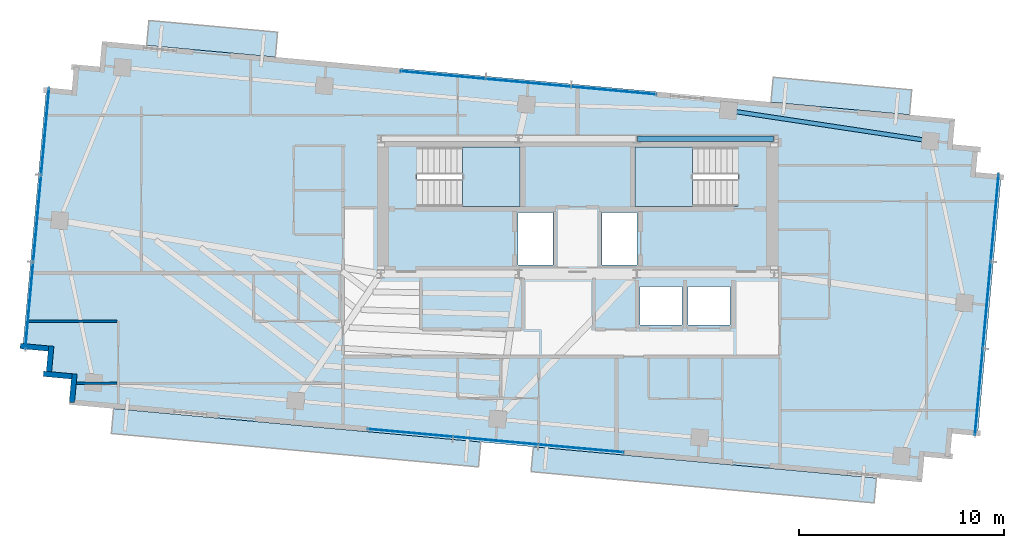
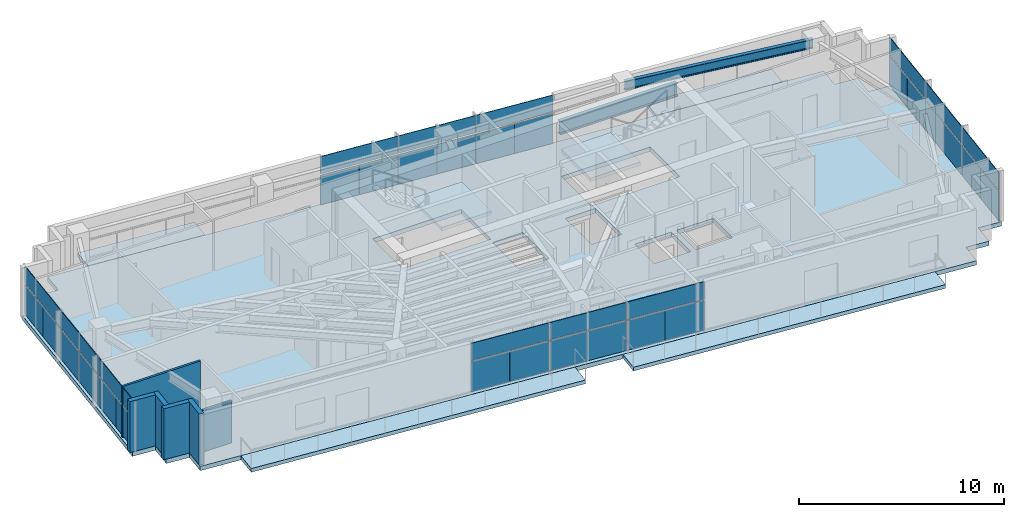
# One storey, part 15 of 22: 36 plates, 7 slabs, 6 walls, 2 beams, 6 elements without a shape of their own.
"""IFC4 building model written with IfcOpenShell, lengths in metres."""

from ifc_helpers import new_model, si_unit, direction, frame, frame_2d, origin, origin_2d, place, context, subcontext, project, spatial, polyline, rectangle, i_section, outline, extrude, source, transform, mapped, material, layer, layer_set, material_profile, profile_set, type_object, type_shapes, element, aggregate, save


model = new_model("IFC4")

# Units and contexts
model_context = context("Model", 3, precision=1e-05, world=origin(), true_north=direction((0.0, 1.0)))
body_context = subcontext(model_context, "Body", "Model", "MODEL_VIEW")
ifc_project = project(units=[si_unit("LENGTHUNIT", "METRE"), si_unit("AREAUNIT", "SQUARE_METRE"), si_unit("VOLUMEUNIT", "CUBIC_METRE"), si_unit("PLANEANGLEUNIT", "RADIAN"), si_unit("MASSUNIT", "GRAM", prefix="KILO")], contexts=[model_context])

# Site, building, storey
site_placement = place(None, origin())
site = spatial("IfcSite", under=ifc_project, at=site_placement, CompositionType="ELEMENT")
building_placement = place(site_placement, origin())
building = spatial("IfcBuilding", under=site, at=building_placement, Name="Astriad Promenade Condominiums", CompositionType="ELEMENT")
storey_placement = place(building_placement, frame((0.0, 0.0, 229.800048828125)))
storey = spatial("IfcBuildingStorey", under=building, at=storey_placement, Name="L66", CompositionType="ELEMENT", Elevation=229.800048828125)

# Beams
ifc_material_1 = material(Name="Steel ASTM A992 Grade 50", Category="steel")
ifc_material_profile_1 = material_profile(ifc_material_1, i_section(OverallWidth=0.267822265625, OverallDepth=0.76953125, WebThickness=0.015625, FlangeThickness=0.025390625, FilletRadius=0.021484375, at=origin_2d()), Name="W30X132")
ifc_profile_set_1 = profile_set([ifc_material_profile_1], Name="Steel ASTM A992 Grade 50")
beam_type_1 = type_object("IfcBeamType", Name="STEEL FLOOR GIRDER W30X132", PredefinedType="BEAM", material=ifc_profile_set_1)
shared_shape_1 = source(origin(), body_context, "Body", "SweptSolid", [
    extrude(i_section(OverallWidth=0.267822265625, OverallDepth=0.76953125, WebThickness=0.015625, FlangeThickness=0.025390625, FilletRadius=0.021484375, at=origin_2d()), origin(), (0.0, 0.0, 1.0), 6.64013671875),
])
type_shapes(beam_type_1, [shared_shape_1])
beam_1_placement = place(storey_placement, frame((38.919921875, 24.0, 2.655029296875), z_axis=(1.0, 0.0, 0.0), x_axis=(0.0, 1.0, 0.0)))
element("IfcBeam", 1, at=beam_1_placement, inside=storey, type_object=beam_type_1, Name="Core Ring Beam CG-N3-L66", PredefinedType="BEAM", context=body_context, shape_type="MappedRepresentation", body=[
    mapped(shared_shape_1, transform((0.0, 0.0, 0.0), scale=1.0)),
])
ifc_material_profile_2 = material_profile(ifc_material_1, i_section(OverallWidth=0.210693359375, OverallDepth=0.53955078125, WebThickness=0.01171875, FlangeThickness=0.018798828125, FilletRadius=0.0166015625, at=origin_2d()), Name="W21X73")
ifc_profile_set_2 = profile_set([ifc_material_profile_2], Name="Steel ASTM A992 Grade 50")
beam_type_2 = type_object("IfcBeamType", Name="STEEL SPANDREL BEAM W21X73", PredefinedType="SPANDREL", material=ifc_profile_set_2)
shared_shape_2 = source(origin(), body_context, "Body", "SweptSolid", [
    extrude(i_section(OverallWidth=0.210693359375, OverallDepth=0.53955078125, WebThickness=0.01171875, FlangeThickness=0.018798828125, FilletRadius=0.0166015625, at=origin_2d()), origin(), (0.0, 0.0, 1.0), 9.890869140625),
])
type_shapes(beam_type_2, [shared_shape_2])
beam_2_placement = place(storey_placement, frame((53.1787109375, 23.899658203125, 2.770263671875), z_axis=(-0.988827455442, 0.149064628143, 0.0), x_axis=(-0.149064628143, -0.988827455442, 0.0)))
element("IfcBeam", 2, at=beam_2_placement, inside=storey, type_object=beam_type_2, Name="Perimeter Spandrel Beam SP-N4-L66", PredefinedType="SPANDREL", context=body_context, shape_type="MappedRepresentation", body=[
    mapped(shared_shape_2, transform((0.0, 0.0, 0.0), scale=1.0)),
])

# Slab
ifc_material_2 = material(Name="Concrete C50/60", Category="concrete")
ifc_layer_1 = layer(ifc_material_2, 0.260009765625)
ifc_layer_set_1 = layer_set([ifc_layer_1], Name="Concrete C50/60")
slab_type_1 = type_object("IfcSlabType", Name="CONCRETE TOWER FLOOR SLAB 260", PredefinedType="FLOOR", material=ifc_layer_set_1)
slab_1_placement = place(storey_placement, frame((0.0, 0.0, -0.260009765625)))
element("IfcSlab", 3, at=slab_1_placement, inside=storey, type_object=slab_type_1, Name="Structural Floor Slab (L66)", PredefinedType="FLOOR", context=body_context, shape_type="SweptSolid", body=[
    extrude(outline(polyline([(11.179443359375, 11.03076171875), (52.807373046875, 7.242431640625), (52.920654296875, 8.4873046875), (54.16552734375, 8.3740234375), (54.27880859375, 9.618896484375), (55.523681640625, 9.505615234375), (56.68359375, 22.2529296875), (55.43896484375, 22.3662109375), (55.55224609375, 23.611083984375), (54.307373046875, 23.724365234375), (54.420654296875, 24.96923828125), (12.79248046875, 28.757568359375), (12.679443359375, 27.5126953125), (11.4345703125, 27.6259765625), (11.3212890625, 26.381103515625), (10.076416015625, 26.494384765625), (8.916259765625, 13.7470703125), (10.1611328125, 13.6337890625), (10.0478515625, 12.388916015625), (11.292724609375, 12.275634765625), (11.179443359375, 11.03076171875)]), holes=[polyline([(28.175048828125, 20.699951171875), (33.175048828125, 20.699951171875), (33.175048828125, 23.60009765625), (28.175048828125, 23.60009765625), (28.175048828125, 20.699951171875)]), polyline([(38.824951171875, 20.699951171875), (43.824951171875, 20.699951171875), (43.824951171875, 23.60009765625), (38.824951171875, 23.60009765625), (38.824951171875, 20.699951171875)]), polyline([(33.10009765625, 17.85009765625), (34.800048828125, 17.85009765625), (34.800048828125, 20.39990234375), (33.10009765625, 20.39990234375), (33.10009765625, 17.85009765625)]), polyline([(37.199951171875, 17.85009765625), (38.89990234375, 17.85009765625), (38.89990234375, 20.39990234375), (37.199951171875, 20.39990234375), (37.199951171875, 17.85009765625)]), polyline([(39.050048828125, 14.89990234375), (41.10009765625, 14.89990234375), (41.10009765625, 16.800048828125), (39.050048828125, 16.800048828125), (39.050048828125, 14.89990234375)]), polyline([(41.39990234375, 14.89990234375), (43.449951171875, 14.89990234375), (43.449951171875, 16.800048828125), (41.39990234375, 16.800048828125), (41.39990234375, 14.89990234375)])]), origin(), (0.0, 0.0, 1.0), 0.260009765625),
])

# Stair, slab
stair_type = type_object("IfcStairType", Name="STR-CORE-1350", PredefinedType="HALF_TURN_STAIR", material=ifc_material_2)
stair_1_placement = place(storey_placement, origin())
stair_1 = element("IfcStair", 4, at=stair_1_placement, inside=storey, type_object=stair_type, Name="L66 Enclosed Core Exit Stair ST-1", PredefinedType="HALF_TURN_STAIR")
ifc_layer_2 = layer(ifc_material_2, 0.219970703125)
ifc_layer_set_2 = layer_set([ifc_layer_2], Name="Concrete C50/60")
slab_type_2 = type_object("IfcSlabType", Name="SLB-LANDING-220", PredefinedType="LANDING", material=ifc_layer_set_2)
slab_2_placement = place(storey_placement, frame((0.0, 0.0, 1.449951171875)))
slab_2 = element("IfcSlab", 5, at=slab_2_placement, type_object=slab_type_2, Name="ST-1 landing 1", PredefinedType="LANDING", context=body_context, shape_type="SweptSolid", body=[
    extrude(outline(polyline([(30.389892578125, 20.699951171875), (33.199951171875, 20.699951171875), (33.199951171875, 23.60009765625), (30.389892578125, 23.60009765625), (30.389892578125, 20.699951171875)])), origin(), (0.0, 0.0, 1.0), 0.199951171875),
])
aggregate(stair_1, [slab_2])

stair_2_placement = place(storey_placement, origin())
stair_2 = element("IfcStair", 6, at=stair_2_placement, inside=storey, type_object=stair_type, Name="L66 Enclosed Core Exit Stair ST-2", PredefinedType="HALF_TURN_STAIR")
slab_3_placement = place(storey_placement, frame((0.0, 0.0, 1.449951171875)))
slab_3 = element("IfcSlab", 7, at=slab_3_placement, type_object=slab_type_2, Name="ST-2 landing 1", PredefinedType="LANDING", context=body_context, shape_type="SweptSolid", body=[
    extrude(outline(polyline([(41.610107421875, 23.60009765625), (38.800048828125, 23.60009765625), (38.800048828125, 20.699951171875), (41.610107421875, 20.699951171875), (41.610107421875, 23.60009765625)])), origin(), (0.0, 0.0, 1.0), 0.199951171875),
])
aggregate(stair_2, [slab_3])

# Slabs
ifc_material_3 = material(Name="Precast concrete C50/60", Category="concrete")
ifc_layer_3 = layer(ifc_material_3, 0.219970703125)
ifc_layer_set_3 = layer_set([ifc_layer_3], Name="Precast concrete C50/60")
slab_type_3 = type_object("IfcSlabType", Name="WHITE PRECAST CONCRETE WAVE BALCONY SLAB 220", PredefinedType="FLOOR", material=ifc_layer_set_3)
slab_4_placement = place(storey_placement, frame((0.0, 0.0, -0.219970703125)))
element("IfcSlab", 8, at=slab_4_placement, inside=storey, type_object=slab_type_3, Name="White Precast Wave Balcony Slab BAL-L66-SW", PredefinedType="FLOOR", context=body_context, shape_type="SweptSolid", body=[
    extrude(outline(polyline([(31.163818359375, 7.987060546875), (13.244873046875, 9.617919921875), (13.355224609375, 10.830810546875), (31.274169921875, 9.2001953125), (31.163818359375, 7.987060546875)])), origin(), (0.0, 0.0, 1.0), 0.219970703125),
])
slab_5_placement = place(storey_placement, frame((0.0, 0.0, -0.219970703125)))
element("IfcSlab", 9, at=slab_5_placement, inside=storey, type_object=slab_type_3, Name="White Precast Wave Balcony Slab BAL-L66-SE", PredefinedType="FLOOR", context=body_context, shape_type="SweptSolid", body=[
    extrude(outline(polyline([(50.47509765625, 6.2294921875), (33.731201171875, 7.75341796875), (33.841552734375, 8.96630859375), (50.585205078125, 7.442626953125), (50.47509765625, 6.2294921875)])), origin(), (0.0, 0.0, 1.0), 0.219970703125),
])
slab_6_placement = place(storey_placement, frame((0.0, 0.0, -0.219970703125)))
element("IfcSlab", 10, at=slab_6_placement, inside=storey, type_object=slab_type_3, Name="White Precast Wave Balcony Slab BAL-L66-NW", PredefinedType="FLOOR", context=body_context, shape_type="SweptSolid", body=[
    extrude(outline(polyline([(15.0791015625, 29.7744140625), (21.3583984375, 29.203125), (21.247802734375, 27.989990234375), (14.968994140625, 28.5615234375), (15.0791015625, 29.7744140625)])), origin(), (0.0, 0.0, 1.0), 0.219970703125),
])
slab_7_placement = place(storey_placement, frame((0.0, 0.0, -0.219970703125)))
element("IfcSlab", 11, at=slab_7_placement, inside=storey, type_object=slab_type_3, Name="White Precast Wave Balcony Slab BAL-L66-NE", PredefinedType="FLOOR", context=body_context, shape_type="SweptSolid", body=[
    extrude(outline(polyline([(45.437744140625, 25.78662109375), (52.19873046875, 25.17138671875), (52.309326171875, 26.38623046875), (45.54833984375, 27.001708984375), (45.437744140625, 25.78662109375)])), origin(), (0.0, 0.0, 1.0), 0.219970703125),
])

# Curtain wall, plates
ifc_material_4 = material(Name="Anodised aluminium Black Dark Glass Unitised", Category="aluminium")
curtain_wall_type = type_object("IfcCurtainWallType", Name="CW-B5-DARK", PredefinedType="USERDEFINED", material=ifc_material_4)
curtain_wall_1_placement = place(storey_placement, origin())
curtain_wall_1 = element("IfcCurtainWall", 12, at=curtain_wall_1_placement, inside=storey, type_object=curtain_wall_type, Name="CW-L66-W", ObjectType="UNITISED_CURTAIN_WALL", PredefinedType="USERDEFINED")
ifc_material_5 = material(Name="Dark Tinted Low-E Laminated Glass", Category="glass")
ifc_layer_4 = layer(ifc_material_5, 0.035888671875)
ifc_layer_set_4 = layer_set([ifc_layer_4], Name="Dark Tinted Low-E Laminated Glass")
plate_type = type_object("IfcPlateType", Name="PNL-DARK-GLASS-36", PredefinedType="CURTAIN_PANEL", material=ifc_layer_set_4)
shared_shape_3 = source(origin(), body_context, "Body", "SweptSolid", [
    extrude(rectangle(XDim=2.121337890625, YDim=0.035888671875, at=origin_2d()), origin(), (0.0, 0.0, 1.0), 1.764892578125),
])
plate_1_placement = place(storey_placement, frame((9.142578125, 14.797607421875, 0.080078125), z_axis=(0.0, 0.0, 1.0), x_axis=(0.090632580198, 0.995884398616, 0.0)))
plate_1 = element("IfcPlate", 13, at=plate_1_placement, type_object=plate_type, Name="CW-L66-W-PNL-00-VL", PredefinedType="CURTAIN_PANEL", context=body_context, shape_type="MappedRepresentation", body=[
    mapped(shared_shape_3, transform((0.0, 0.0, 0.0), scale=1.0)),
])
plate_2_placement = place(storey_placement, frame((9.335693359375, 16.922119140625, 0.080078125), z_axis=(0.0, 0.0, 1.0), x_axis=(0.090632580198, 0.995884398616, 0.0)))
plate_2 = element("IfcPlate", 14, at=plate_2_placement, type_object=plate_type, Name="CW-L66-W-PNL-00-VR", PredefinedType="CURTAIN_PANEL", context=body_context, shape_type="MappedRepresentation", body=[
    mapped(shared_shape_3, transform((0.0, 0.0, 0.0), scale=1.0)),
])
plate_3_placement = place(storey_placement, frame((9.529296875, 19.046630859375, 0.080078125), z_axis=(0.0, 0.0, 1.0), x_axis=(0.090632580198, 0.995884398616, 0.0)))
plate_3 = element("IfcPlate", 15, at=plate_3_placement, type_object=plate_type, Name="CW-L66-W-PNL-01-VL", PredefinedType="CURTAIN_PANEL", context=body_context, shape_type="MappedRepresentation", body=[
    mapped(shared_shape_3, transform((0.0, 0.0, 0.0), scale=1.0)),
])
plate_4_placement = place(storey_placement, frame((9.722412109375, 21.17138671875, 0.080078125), z_axis=(0.0, 0.0, 1.0), x_axis=(0.090632580198, 0.995884398616, 0.0)))
plate_4 = element("IfcPlate", 16, at=plate_4_placement, type_object=plate_type, Name="CW-L66-W-PNL-01-VR", PredefinedType="CURTAIN_PANEL", context=body_context, shape_type="MappedRepresentation", body=[
    mapped(shared_shape_3, transform((0.0, 0.0, 0.0), scale=1.0)),
])
plate_5_placement = place(storey_placement, frame((9.916015625, 23.2958984375, 0.080078125), z_axis=(0.0, 0.0, 1.0), x_axis=(0.090632580198, 0.995884398616, 0.0)))
plate_5 = element("IfcPlate", 17, at=plate_5_placement, type_object=plate_type, Name="CW-L66-W-PNL-02-VL", PredefinedType="CURTAIN_PANEL", context=body_context, shape_type="MappedRepresentation", body=[
    mapped(shared_shape_3, transform((0.0, 0.0, 0.0), scale=1.0)),
])
plate_6_placement = place(storey_placement, frame((10.109130859375, 25.42041015625, 0.080078125), z_axis=(0.0, 0.0, 1.0), x_axis=(0.090632580198, 0.995884398616, 0.0)))
plate_6 = element("IfcPlate", 18, at=plate_6_placement, type_object=plate_type, Name="CW-L66-W-PNL-02-VR", PredefinedType="CURTAIN_PANEL", context=body_context, shape_type="MappedRepresentation", body=[
    mapped(shared_shape_3, transform((0.0, 0.0, 0.0), scale=1.0)),
])

curtain_wall_2_placement = place(storey_placement, origin())
curtain_wall_2 = element("IfcCurtainWall", 19, at=curtain_wall_2_placement, inside=storey, type_object=curtain_wall_type, Name="CW-L66-E", ObjectType="UNITISED_CURTAIN_WALL", PredefinedType="USERDEFINED")
plate_7_placement = place(storey_placement, frame((56.45751953125, 21.202392578125, 0.080078125), z_axis=(0.0, 0.0, 1.0), x_axis=(-0.090632580198, -0.995884398616, 0.0)))
plate_7 = element("IfcPlate", 20, at=plate_7_placement, type_object=plate_type, Name="CW-L66-E-PNL-00-VL", PredefinedType="CURTAIN_PANEL", context=body_context, shape_type="MappedRepresentation", body=[
    mapped(shared_shape_3, transform((0.0, 0.0, 0.0), scale=1.0)),
])
plate_8_placement = place(storey_placement, frame((56.26416015625, 19.077880859375, 0.080078125), z_axis=(0.0, 0.0, 1.0), x_axis=(-0.090632580198, -0.995884398616, 0.0)))
plate_8 = element("IfcPlate", 21, at=plate_8_placement, type_object=plate_type, Name="CW-L66-E-PNL-00-VR", PredefinedType="CURTAIN_PANEL", context=body_context, shape_type="MappedRepresentation", body=[
    mapped(shared_shape_3, transform((0.0, 0.0, 0.0), scale=1.0)),
])
plate_9_placement = place(storey_placement, frame((56.07080078125, 16.953369140625, 0.080078125), z_axis=(0.0, 0.0, 1.0), x_axis=(-0.090632580198, -0.995884398616, 0.0)))
plate_9 = element("IfcPlate", 22, at=plate_9_placement, type_object=plate_type, Name="CW-L66-E-PNL-01-VL", PredefinedType="CURTAIN_PANEL", context=body_context, shape_type="MappedRepresentation", body=[
    mapped(shared_shape_3, transform((0.0, 0.0, 0.0), scale=1.0)),
])
plate_10_placement = place(storey_placement, frame((55.87744140625, 14.82861328125, 0.080078125), z_axis=(0.0, 0.0, 1.0), x_axis=(-0.090632580198, -0.995884398616, 0.0)))
plate_10 = element("IfcPlate", 23, at=plate_10_placement, type_object=plate_type, Name="CW-L66-E-PNL-01-VR", PredefinedType="CURTAIN_PANEL", context=body_context, shape_type="MappedRepresentation", body=[
    mapped(shared_shape_3, transform((0.0, 0.0, 0.0), scale=1.0)),
])
plate_11_placement = place(storey_placement, frame((55.68408203125, 12.7041015625, 0.080078125), z_axis=(0.0, 0.0, 1.0), x_axis=(-0.090632580198, -0.995884398616, 0.0)))
plate_11 = element("IfcPlate", 24, at=plate_11_placement, type_object=plate_type, Name="CW-L66-E-PNL-02-VL", PredefinedType="CURTAIN_PANEL", context=body_context, shape_type="MappedRepresentation", body=[
    mapped(shared_shape_3, transform((0.0, 0.0, 0.0), scale=1.0)),
])
plate_12_placement = place(storey_placement, frame((55.49072265625, 10.57958984375, 0.080078125), z_axis=(0.0, 0.0, 1.0), x_axis=(-0.090632580198, -0.995884398616, 0.0)))
plate_12 = element("IfcPlate", 25, at=plate_12_placement, type_object=plate_type, Name="CW-L66-E-PNL-02-VR", PredefinedType="CURTAIN_PANEL", context=body_context, shape_type="MappedRepresentation", body=[
    mapped(shared_shape_3, transform((0.0, 0.0, 0.0), scale=1.0)),
])

# Plate
shared_shape_4 = source(origin(), body_context, "Body", "SweptSolid", [
    extrude(rectangle(XDim=4.254638671875, YDim=0.035888671875, at=origin_2d()), origin(), (0.0, 0.0, 1.0), 1.03515625),
])
plate_13_placement = place(storey_placement, frame((9.239013671875, 15.85986328125, 1.9248046875), z_axis=(0.0, 0.0, 1.0), x_axis=(0.090632580198, 0.995884398616, 0.0)))
plate_13 = element("IfcPlate", 26, at=plate_13_placement, type_object=plate_type, Name="CW-L66-W-PNL-00-S", PredefinedType="CURTAIN_PANEL", context=body_context, shape_type="MappedRepresentation", body=[
    mapped(shared_shape_4, transform((0.0, 0.0, 0.0), scale=1.0)),
])

plate_14_placement = place(storey_placement, frame((9.625732421875, 20.10888671875, 1.9248046875), z_axis=(0.0, 0.0, 1.0), x_axis=(0.090632580198, 0.995884398616, 0.0)))
plate_14 = element("IfcPlate", 27, at=plate_14_placement, type_object=plate_type, Name="CW-L66-W-PNL-01-S", PredefinedType="CURTAIN_PANEL", context=body_context, shape_type="MappedRepresentation", body=[
    mapped(shared_shape_4, transform((0.0, 0.0, 0.0), scale=1.0)),
])

plate_15_placement = place(storey_placement, frame((10.0126953125, 24.358154296875, 1.9248046875), z_axis=(0.0, 0.0, 1.0), x_axis=(0.090632580198, 0.995884398616, 0.0)))
plate_15 = element("IfcPlate", 28, at=plate_15_placement, type_object=plate_type, Name="CW-L66-W-PNL-02-S", PredefinedType="CURTAIN_PANEL", context=body_context, shape_type="MappedRepresentation", body=[
    mapped(shared_shape_4, transform((0.0, 0.0, 0.0), scale=1.0)),
])

aggregate(curtain_wall_1, [plate_1, plate_2, plate_13, plate_3, plate_4, plate_14, plate_5, plate_6, plate_15])

plate_16_placement = place(storey_placement, frame((56.36083984375, 20.14013671875, 1.9248046875), z_axis=(0.0, 0.0, 1.0), x_axis=(-0.090632580198, -0.995884398616, 0.0)))
plate_16 = element("IfcPlate", 29, at=plate_16_placement, type_object=plate_type, Name="CW-L66-E-PNL-00-S", PredefinedType="CURTAIN_PANEL", context=body_context, shape_type="MappedRepresentation", body=[
    mapped(shared_shape_4, transform((0.0, 0.0, 0.0), scale=1.0)),
])

plate_17_placement = place(storey_placement, frame((55.97412109375, 15.89111328125, 1.9248046875), z_axis=(0.0, 0.0, 1.0), x_axis=(-0.090632580198, -0.995884398616, 0.0)))
plate_17 = element("IfcPlate", 30, at=plate_17_placement, type_object=plate_type, Name="CW-L66-E-PNL-01-S", PredefinedType="CURTAIN_PANEL", context=body_context, shape_type="MappedRepresentation", body=[
    mapped(shared_shape_4, transform((0.0, 0.0, 0.0), scale=1.0)),
])

plate_18_placement = place(storey_placement, frame((55.58740234375, 11.641845703125, 1.9248046875), z_axis=(0.0, 0.0, 1.0), x_axis=(-0.090632580198, -0.995884398616, 0.0)))
plate_18 = element("IfcPlate", 31, at=plate_18_placement, type_object=plate_type, Name="CW-L66-E-PNL-02-S", PredefinedType="CURTAIN_PANEL", context=body_context, shape_type="MappedRepresentation", body=[
    mapped(shared_shape_4, transform((0.0, 0.0, 0.0), scale=1.0)),
])

aggregate(curtain_wall_2, [plate_7, plate_8, plate_16, plate_9, plate_10, plate_17, plate_11, plate_12, plate_18])

# Curtain wall, plates
curtain_wall_3_placement = place(storey_placement, origin())
curtain_wall_3 = element("IfcCurtainWall", 32, at=curtain_wall_3_placement, inside=storey, type_object=curtain_wall_type, Name="CW-L66-N", ObjectType="UNITISED_CURTAIN_WALL", PredefinedType="USERDEFINED")
shared_shape_5 = source(origin(), body_context, "Body", "SweptSolid", [
    extrude(rectangle(XDim=2.077880859375, YDim=0.035888671875, at=origin_2d()), origin(), (0.0, 0.0, 1.0), 1.764892578125),
])
plate_19_placement = place(storey_placement, frame((28.391357421875, 27.20751953125, 0.080078125), z_axis=(0.0, 0.0, 1.0), x_axis=(0.995884398616, -0.090632580198, 0.0)))
plate_19 = element("IfcPlate", 33, at=plate_19_placement, type_object=plate_type, Name="CW-L66-N-PNL-00-VL", PredefinedType="CURTAIN_PANEL", context=body_context, shape_type="MappedRepresentation", body=[
    mapped(shared_shape_5, transform((0.0, 0.0, 0.0), scale=1.0)),
])
plate_20_placement = place(storey_placement, frame((30.47265625, 27.01806640625, 0.080078125), z_axis=(0.0, 0.0, 1.0), x_axis=(0.995884398616, -0.090632580198, 0.0)))
plate_20 = element("IfcPlate", 34, at=plate_20_placement, type_object=plate_type, Name="CW-L66-N-PNL-00-VR", PredefinedType="CURTAIN_PANEL", context=body_context, shape_type="MappedRepresentation", body=[
    mapped(shared_shape_5, transform((0.0, 0.0, 0.0), scale=1.0)),
])
plate_21_placement = place(storey_placement, frame((32.55419921875, 26.82861328125, 0.080078125), z_axis=(0.0, 0.0, 1.0), x_axis=(0.995884398616, -0.090632580198, 0.0)))
plate_21 = element("IfcPlate", 35, at=plate_21_placement, type_object=plate_type, Name="CW-L66-N-PNL-01-VL", PredefinedType="CURTAIN_PANEL", context=body_context, shape_type="MappedRepresentation", body=[
    mapped(shared_shape_5, transform((0.0, 0.0, 0.0), scale=1.0)),
])
plate_22_placement = place(storey_placement, frame((34.635498046875, 26.63916015625, 0.080078125), z_axis=(0.0, 0.0, 1.0), x_axis=(0.995884398616, -0.090632580198, 0.0)))
plate_22 = element("IfcPlate", 36, at=plate_22_placement, type_object=plate_type, Name="CW-L66-N-PNL-01-VR", PredefinedType="CURTAIN_PANEL", context=body_context, shape_type="MappedRepresentation", body=[
    mapped(shared_shape_5, transform((0.0, 0.0, 0.0), scale=1.0)),
])
plate_23_placement = place(storey_placement, frame((36.716796875, 26.44970703125, 0.080078125), z_axis=(0.0, 0.0, 1.0), x_axis=(0.995884398616, -0.090632580198, 0.0)))
plate_23 = element("IfcPlate", 37, at=plate_23_placement, type_object=plate_type, Name="CW-L66-N-PNL-02-VL", PredefinedType="CURTAIN_PANEL", context=body_context, shape_type="MappedRepresentation", body=[
    mapped(shared_shape_5, transform((0.0, 0.0, 0.0), scale=1.0)),
])
plate_24_placement = place(storey_placement, frame((38.79833984375, 26.26025390625, 0.080078125), z_axis=(0.0, 0.0, 1.0), x_axis=(0.995884398616, -0.090632580198, 0.0)))
plate_24 = element("IfcPlate", 38, at=plate_24_placement, type_object=plate_type, Name="CW-L66-N-PNL-02-VR", PredefinedType="CURTAIN_PANEL", context=body_context, shape_type="MappedRepresentation", body=[
    mapped(shared_shape_5, transform((0.0, 0.0, 0.0), scale=1.0)),
])

curtain_wall_4_placement = place(storey_placement, origin())
curtain_wall_4 = element("IfcCurtainWall", 39, at=curtain_wall_4_placement, inside=storey, type_object=curtain_wall_type, Name="CW-L66-S", ObjectType="UNITISED_CURTAIN_WALL", PredefinedType="USERDEFINED")
plate_25_placement = place(storey_placement, frame((37.208740234375, 8.79248046875, 0.080078125), z_axis=(0.0, 0.0, 1.0), x_axis=(-0.995884398616, 0.090632580198, 0.0)))
plate_25 = element("IfcPlate", 40, at=plate_25_placement, type_object=plate_type, Name="CW-L66-S-PNL-00-VL", PredefinedType="CURTAIN_PANEL", context=body_context, shape_type="MappedRepresentation", body=[
    mapped(shared_shape_5, transform((0.0, 0.0, 0.0), scale=1.0)),
])
plate_26_placement = place(storey_placement, frame((35.127197265625, 8.98193359375, 0.080078125), z_axis=(0.0, 0.0, 1.0), x_axis=(-0.995884398616, 0.090632580198, 0.0)))
plate_26 = element("IfcPlate", 41, at=plate_26_placement, type_object=plate_type, Name="CW-L66-S-PNL-00-VR", PredefinedType="CURTAIN_PANEL", context=body_context, shape_type="MappedRepresentation", body=[
    mapped(shared_shape_5, transform((0.0, 0.0, 0.0), scale=1.0)),
])
plate_27_placement = place(storey_placement, frame((33.0458984375, 9.17138671875, 0.080078125), z_axis=(0.0, 0.0, 1.0), x_axis=(-0.995884398616, 0.090632580198, 0.0)))
plate_27 = element("IfcPlate", 42, at=plate_27_placement, type_object=plate_type, Name="CW-L66-S-PNL-01-VL", PredefinedType="CURTAIN_PANEL", context=body_context, shape_type="MappedRepresentation", body=[
    mapped(shared_shape_5, transform((0.0, 0.0, 0.0), scale=1.0)),
])
plate_28_placement = place(storey_placement, frame((30.964599609375, 9.36083984375, 0.080078125), z_axis=(0.0, 0.0, 1.0), x_axis=(-0.995884398616, 0.090632580198, 0.0)))
plate_28 = element("IfcPlate", 43, at=plate_28_placement, type_object=plate_type, Name="CW-L66-S-PNL-01-VR", PredefinedType="CURTAIN_PANEL", context=body_context, shape_type="MappedRepresentation", body=[
    mapped(shared_shape_5, transform((0.0, 0.0, 0.0), scale=1.0)),
])
plate_29_placement = place(storey_placement, frame((28.883056640625, 9.55029296875, 0.080078125), z_axis=(0.0, 0.0, 1.0), x_axis=(-0.995884398616, 0.090632580198, 0.0)))
plate_29 = element("IfcPlate", 44, at=plate_29_placement, type_object=plate_type, Name="CW-L66-S-PNL-02-VL", PredefinedType="CURTAIN_PANEL", context=body_context, shape_type="MappedRepresentation", body=[
    mapped(shared_shape_5, transform((0.0, 0.0, 0.0), scale=1.0)),
])
plate_30_placement = place(storey_placement, frame((26.8017578125, 9.73974609375, 0.080078125), z_axis=(0.0, 0.0, 1.0), x_axis=(-0.995884398616, 0.090632580198, 0.0)))
plate_30 = element("IfcPlate", 45, at=plate_30_placement, type_object=plate_type, Name="CW-L66-S-PNL-02-VR", PredefinedType="CURTAIN_PANEL", context=body_context, shape_type="MappedRepresentation", body=[
    mapped(shared_shape_5, transform((0.0, 0.0, 0.0), scale=1.0)),
])

# Plate
shared_shape_6 = source(origin(), body_context, "Body", "SweptSolid", [
    extrude(rectangle(XDim=4.16796875, YDim=0.035888671875, at=origin_2d()), origin(), (0.0, 0.0, 1.0), 1.03515625),
])
type_shapes(plate_type, [shared_shape_3, shared_shape_4, shared_shape_5, shared_shape_6])
plate_31_placement = place(storey_placement, frame((29.431884765625, 27.11279296875, 1.9248046875), z_axis=(0.0, 0.0, 1.0), x_axis=(0.995884398616, -0.090632580198, 0.0)))
plate_31 = element("IfcPlate", 46, at=plate_31_placement, type_object=plate_type, Name="CW-L66-N-PNL-00-S", PredefinedType="CURTAIN_PANEL", context=body_context, shape_type="MappedRepresentation", body=[
    mapped(shared_shape_6, transform((0.0, 0.0, 0.0), scale=1.0)),
])

plate_32_placement = place(storey_placement, frame((33.5947265625, 26.73388671875, 1.9248046875), z_axis=(0.0, 0.0, 1.0), x_axis=(0.995884398616, -0.090632580198, 0.0)))
plate_32 = element("IfcPlate", 47, at=plate_32_placement, type_object=plate_type, Name="CW-L66-N-PNL-01-S", PredefinedType="CURTAIN_PANEL", context=body_context, shape_type="MappedRepresentation", body=[
    mapped(shared_shape_6, transform((0.0, 0.0, 0.0), scale=1.0)),
])

plate_33_placement = place(storey_placement, frame((37.757568359375, 26.35498046875, 1.9248046875), z_axis=(0.0, 0.0, 1.0), x_axis=(0.995884398616, -0.090632580198, 0.0)))
plate_33 = element("IfcPlate", 48, at=plate_33_placement, type_object=plate_type, Name="CW-L66-N-PNL-02-S", PredefinedType="CURTAIN_PANEL", context=body_context, shape_type="MappedRepresentation", body=[
    mapped(shared_shape_6, transform((0.0, 0.0, 0.0), scale=1.0)),
])

aggregate(curtain_wall_3, [plate_19, plate_20, plate_31, plate_21, plate_22, plate_32, plate_23, plate_24, plate_33])

plate_34_placement = place(storey_placement, frame((36.16796875, 8.88720703125, 1.9248046875), z_axis=(0.0, 0.0, 1.0), x_axis=(-0.995884398616, 0.090632580198, 0.0)))
plate_34 = element("IfcPlate", 49, at=plate_34_placement, type_object=plate_type, Name="CW-L66-S-PNL-00-S", PredefinedType="CURTAIN_PANEL", context=body_context, shape_type="MappedRepresentation", body=[
    mapped(shared_shape_6, transform((0.0, 0.0, 0.0), scale=1.0)),
])

plate_35_placement = place(storey_placement, frame((32.005126953125, 9.26611328125, 1.9248046875), z_axis=(0.0, 0.0, 1.0), x_axis=(-0.995884398616, 0.090632580198, 0.0)))
plate_35 = element("IfcPlate", 50, at=plate_35_placement, type_object=plate_type, Name="CW-L66-S-PNL-01-S", PredefinedType="CURTAIN_PANEL", context=body_context, shape_type="MappedRepresentation", body=[
    mapped(shared_shape_6, transform((0.0, 0.0, 0.0), scale=1.0)),
])

plate_36_placement = place(storey_placement, frame((27.84228515625, 9.64501953125, 1.9248046875), z_axis=(0.0, 0.0, 1.0), x_axis=(-0.995884398616, 0.090632580198, 0.0)))
plate_36 = element("IfcPlate", 51, at=plate_36_placement, type_object=plate_type, Name="CW-L66-S-PNL-02-S", PredefinedType="CURTAIN_PANEL", context=body_context, shape_type="MappedRepresentation", body=[
    mapped(shared_shape_6, transform((0.0, 0.0, 0.0), scale=1.0)),
])

aggregate(curtain_wall_4, [plate_25, plate_26, plate_34, plate_27, plate_28, plate_35, plate_29, plate_30, plate_36])

# Walls
ifc_layer_5 = layer(ifc_material_3, 0.260009765625)
ifc_layer_set_5 = layer_set([ifc_layer_5], Name="Precast concrete C50/60")
wall_type_1 = type_object("IfcWallType", Name="WALL-EXT-TWR-260", PredefinedType="STANDARD", material=ifc_layer_set_5)
wall_1_placement = place(storey_placement, frame((11.3193359375, 12.40380859375, 0.0), z_axis=(0.0, 0.0, 1.0), x_axis=(-0.995881721538, 0.090661991521, 0.0)))
element("IfcWall", 52, at=wall_1_placement, inside=storey, type_object=wall_type_1, Name="W-SER-L66-00", PredefinedType="STANDARD", context=body_context, shape_type="SweptSolid", body=[
    extrude(rectangle(XDim=1.39501953125, YDim=0.260009765625, at=frame_2d((0.697509765625, 0.0))), origin(), (0.0, 0.0, 1.0), 3.0400390625),
])
wall_2_placement = place(storey_placement, frame((10.187744140625, 12.49169921875, 0.0), z_axis=(0.0, 0.0, 1.0), x_axis=(0.090646191665, 0.995883159782, 0.0)))
element("IfcWall", 53, at=wall_2_placement, inside=storey, type_object=wall_type_1, Name="W-SER-L66-01", PredefinedType="STANDARD", context=body_context, shape_type="SweptSolid", body=[
    extrude(rectangle(XDim=1.395263671875, YDim=0.260009765625, at=frame_2d((0.69775390625, 0.0))), origin(), (0.0, 0.0, 1.0), 3.0400390625),
])
for number, where, z_axis, x_axis, name in (
    (54, (10.187744140625, 13.761962890625, 0.0), (0.0, 0.0, 1.0), (-0.995881721538, 0.090661991521, 0.0), "W-SER-L66-02"),
    (55, (11.3193359375, 11.133544921875, 0.0), (0.0, 0.0, 1.0), (0.090661991521, 0.995881721538, 0.0), "W-SER-L66-19"),
):
    element("IfcWall", number, at=place(storey_placement, frame(where, z_axis=z_axis, x_axis=x_axis)), inside=storey, type_object=wall_type_1, Name=name, PredefinedType="STANDARD", context=body_context, shape_type="SweptSolid", body=[
        extrude(rectangle(XDim=1.39501953125, YDim=0.260009765625, at=frame_2d((0.697509765625, 0.0))), origin(), (0.0, 0.0, 1.0), 3.0400390625),
    ])
ifc_material_6 = material(Name="Acoustic Metal-Stud Gypsum Partition")
ifc_layer_6 = layer(ifc_material_6, 0.1201171875)
ifc_layer_set_6 = layer_set([ifc_layer_6], Name="Acoustic Metal-Stud Gypsum Partition")
wall_type_2 = type_object("IfcWallType", Name="WALL-PART-120", PredefinedType="PARTITIONING", material=ifc_layer_set_6)
wall_3_placement = place(storey_placement, frame((9.119873046875, 15.10009765625, 0.0), z_axis=(0.0, 0.0, 1.0), x_axis=(1.0, 0.0, 0.0)))
element("IfcWall", 56, at=wall_3_placement, inside=storey, type_object=wall_type_2, Name="PT-L66-W1-CAP1H", PredefinedType="PARTITIONING", context=body_context, shape_type="SweptSolid", body=[
    extrude(rectangle(XDim=4.399169921875, YDim=0.1201171875, at=frame_2d((2.19970703125, 0.0))), origin(), (0.0, 0.0, 1.0), 3.0400390625),
])
wall_4_placement = place(storey_placement, frame((11.537353515625, 12.072998046875, 0.0), z_axis=(0.0, 0.0, 1.0), x_axis=(1.0, 0.0, 0.0)))
element("IfcWall", 57, at=wall_4_placement, inside=storey, type_object=wall_type_2, Name="PT-L66-W1-CAPH2", PredefinedType="PARTITIONING", context=body_context, shape_type="SweptSolid", body=[
    extrude(rectangle(XDim=1.981689453125, YDim=0.1201171875, at=frame_2d((0.99072265625, 0.0))), origin(), (0.0, 0.0, 1.0), 2.482421875),
])

save(model, "model.ifc")
